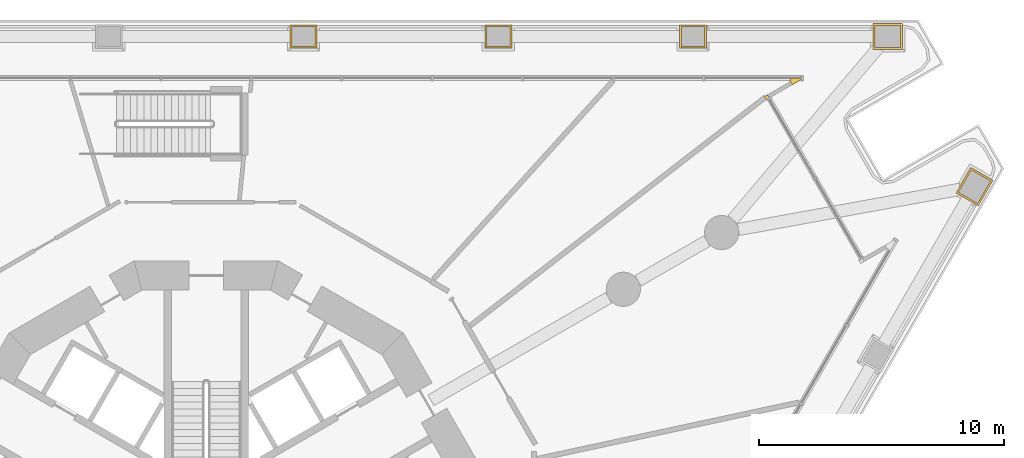
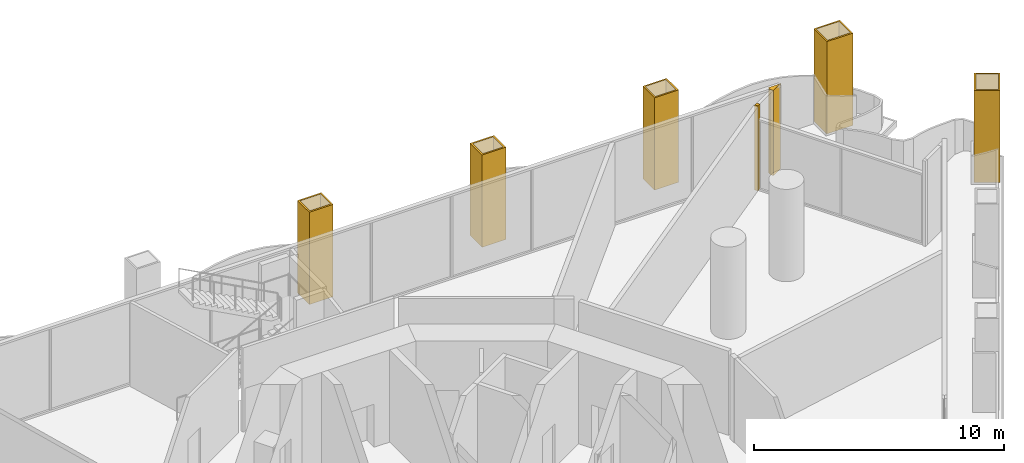
# One storey, part 23 of 23: 7 coverings.
"""IFC4 building model written with IfcOpenShell, lengths in metres."""

from ifc_helpers import new_model, si_unit, direction, frame, origin, place, context, subcontext, project, spatial, polyline, outline, extrude, material, layer, layer_set, type_object, element, save


model = new_model("IFC4")

# Units and contexts
model_context = context("Model", 3, precision=1e-05, world=origin(), true_north=direction((0.0, 1.0)))
body_context = subcontext(model_context, "Body", "Model", "MODEL_VIEW")
ifc_project = project(units=[si_unit("LENGTHUNIT", "METRE"), si_unit("AREAUNIT", "SQUARE_METRE"), si_unit("VOLUMEUNIT", "CUBIC_METRE"), si_unit("PLANEANGLEUNIT", "RADIAN"), si_unit("MASSUNIT", "GRAM", prefix="KILO")], contexts=[model_context])

# Site, building, storey
site_placement = place(None, origin())
site = spatial("IfcSite", under=ifc_project, at=site_placement, CompositionType="ELEMENT")
building_placement = place(site_placement, origin())
building = spatial("IfcBuilding", under=site, at=building_placement, Name="Trine Commons Tower", CompositionType="ELEMENT")
storey_placement = place(building_placement, frame((0.0, 0.0, 18.0)))
storey = spatial("IfcBuildingStorey", under=building, at=storey_placement, Name="L03", CompositionType="ELEMENT", Elevation=18.0)

# Coverings
ifc_material_1 = material(Name="Aluminium-framed insulated wall panel", Category="aluminium")
ifc_layer_1 = layer(ifc_material_1, 0.14990234375)
ifc_layer_set_1 = layer_set([ifc_layer_1], Name="Aluminium-framed insulated wall panel")
covering_type_1 = type_object("IfcCoveringType", Name="Glazing corner post, aluminium", PredefinedType="CLADDING", material=ifc_layer_set_1)
covering_1_placement = place(storey_placement, origin())
element("IfcCovering", 1, at=covering_1_placement, inside=storey, type_object=covering_type_1, Name="Glazing corner post 1-05", PredefinedType="CLADDING", context=body_context, shape_type="SweptSolid", body=[
    extrude(outline(polyline([(103.96875, 80.714599609375), (104.45361328125, 80.99462890625), (103.893798828125, 80.99462890625), (103.893798828125, 80.844482421875), (103.96875, 80.714599609375)])), origin(), (0.0, 0.0, 1.0), 4.14990234375),
])
covering_2_placement = place(storey_placement, origin())
element("IfcCovering", 2, at=covering_2_placement, inside=storey, type_object=covering_type_1, Name="Glazing corner post 1-06", PredefinedType="CLADDING", context=body_context, shape_type="SweptSolid", body=[
    extrude(outline(polyline([(102.898681640625, 80.0966796875), (103.028564453125, 80.171875), (102.95361328125, 80.3017578125), (102.823486328125, 80.226806640625), (102.898681640625, 80.0966796875)])), origin(), (0.0, 0.0, 1.0), 4.14990234375),
])
ifc_material_2 = material(Name="Limestone, honed", Category="masonry")
ifc_layer_2 = layer(ifc_material_2, 0.074951171875)
ifc_layer_set_2 = layer_set([ifc_layer_2], Name="Limestone, honed")
covering_type_2 = type_object("IfcCoveringType", Name="Limestone column cladding 75", PredefinedType="CLADDING", material=ifc_layer_set_2)
covering_3_placement = place(storey_placement, origin())
element("IfcCovering", 3, at=covering_3_placement, inside=storey, type_object=covering_type_2, Name="Limestone pier cladding 1-13", PredefinedType="CLADDING", context=body_context, shape_type="SweptSolid", body=[
    extrude(outline(polyline([(84.53173828125, 82.209716796875), (84.53173828125, 83.15966796875), (83.431640625, 83.15966796875), (83.431640625, 82.209716796875), (84.53173828125, 82.209716796875)]), holes=[polyline([(84.456787109375, 82.28466796875), (84.456787109375, 83.084716796875), (83.506591796875, 83.084716796875), (83.506591796875, 82.28466796875), (84.456787109375, 82.28466796875)])]), origin(), (0.0, 0.0, 1.0), 4.5),
])
covering_4_placement = place(storey_placement, origin())
element("IfcCovering", 4, at=covering_4_placement, inside=storey, type_object=covering_type_2, Name="Limestone pier cladding 1-14", PredefinedType="CLADDING", context=body_context, shape_type="SweptSolid", body=[
    extrude(outline(polyline([(92.4951171875, 82.209716796875), (92.4951171875, 83.15966796875), (91.39501953125, 83.15966796875), (91.39501953125, 82.209716796875), (92.4951171875, 82.209716796875)]), holes=[polyline([(92.420166015625, 82.28466796875), (92.420166015625, 83.084716796875), (91.47021484375, 83.084716796875), (91.47021484375, 82.28466796875), (92.420166015625, 82.28466796875)])]), origin(), (0.0, 0.0, 1.0), 4.5),
])
covering_5_placement = place(storey_placement, origin())
element("IfcCovering", 5, at=covering_5_placement, inside=storey, type_object=covering_type_2, Name="Limestone pier cladding 1-15", PredefinedType="CLADDING", context=body_context, shape_type="SweptSolid", body=[
    extrude(outline(polyline([(100.45849609375, 82.209716796875), (100.45849609375, 83.15966796875), (99.3583984375, 83.15966796875), (99.3583984375, 82.209716796875), (100.45849609375, 82.209716796875)]), holes=[polyline([(100.38330078125, 82.28466796875), (100.38330078125, 83.084716796875), (99.433349609375, 83.084716796875), (99.433349609375, 82.28466796875), (100.38330078125, 82.28466796875)])]), origin(), (0.0, 0.0, 1.0), 4.5),
])
covering_6_placement = place(storey_placement, origin())
element("IfcCovering", 6, at=covering_6_placement, inside=storey, type_object=covering_type_2, Name="Limestone pier cladding 1-16", PredefinedType="CLADDING", context=body_context, shape_type="SweptSolid", body=[
    extrude(outline(polyline([(108.4716796875, 82.15966796875), (108.4716796875, 83.209716796875), (107.271728515625, 83.209716796875), (107.271728515625, 82.15966796875), (108.4716796875, 82.15966796875)]), holes=[polyline([(108.396728515625, 82.234619140625), (108.396728515625, 83.134521484375), (107.3466796875, 83.134521484375), (107.3466796875, 82.234619140625), (108.396728515625, 82.234619140625)])]), origin(), (0.0, 0.0, 1.0), 4.5),
])
covering_7_placement = place(storey_placement, origin())
element("IfcCovering", 7, at=covering_7_placement, inside=storey, type_object=covering_type_2, Name="Limestone pier cladding 1-17", PredefinedType="CLADDING", context=body_context, shape_type="SweptSolid", body=[
    extrude(outline(polyline([(112.1708984375, 76.802490234375), (111.26171875, 77.327392578125), (110.66162109375, 76.288330078125), (111.571044921875, 75.76318359375), (112.1708984375, 76.802490234375)]), holes=[polyline([(112.068603515625, 76.775146484375), (111.2890625, 77.22509765625), (110.76416015625, 76.315673828125), (111.54345703125, 75.86572265625), (112.068603515625, 76.775146484375)])]), origin(), (0.0, 0.0, 1.0), 4.5),
])

save(model, "model.ifc")
